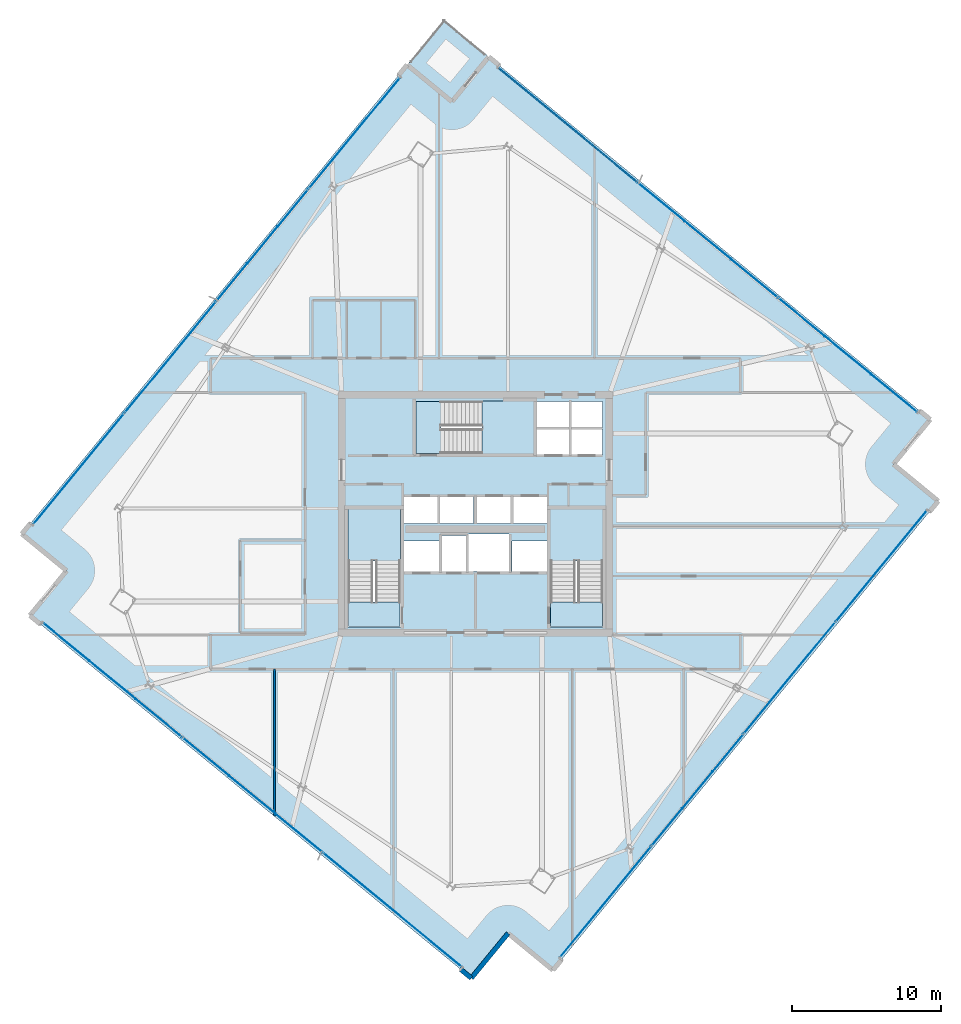
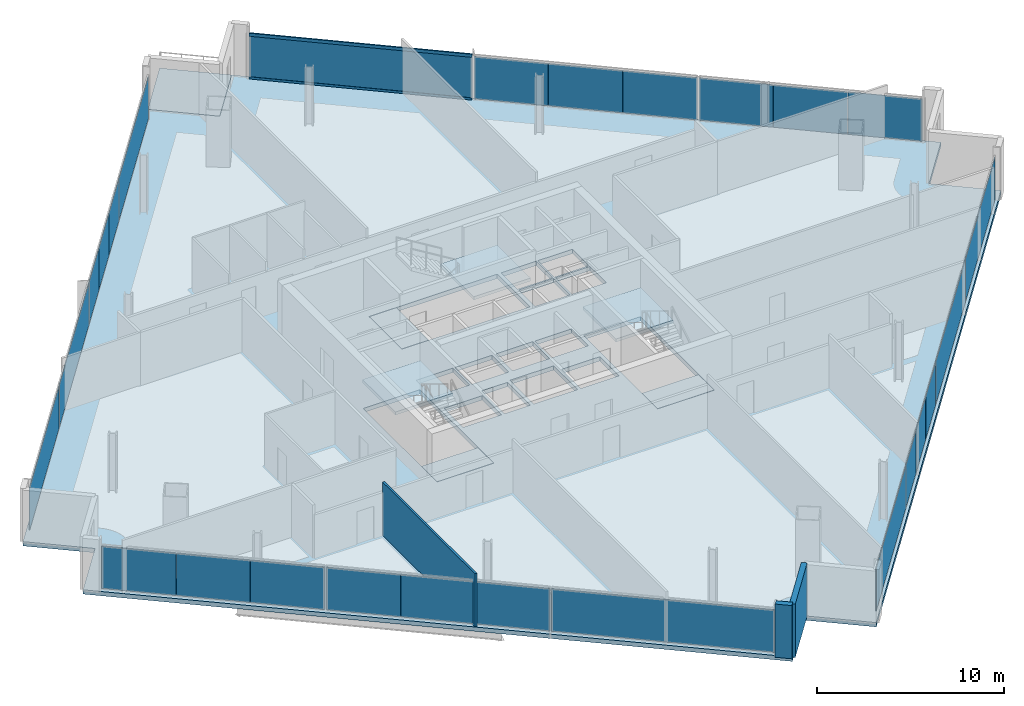
# One storey, part 19 of 28: 26 plates, 8 slabs, 3 walls, 2 members, 7 elements without a shape of their own.
"""IFC4 building model written with IfcOpenShell, lengths in metres."""

from ifc_helpers import new_model, si_unit, direction, frame, frame_2d, origin, origin_2d, place, context, subcontext, project, spatial, polyline, rectangle, hollow_rectangle, outline, extrude, source, transform, mapped, material, layer, layer_set, material_profile, profile_set, type_object, element, aggregate, save


model = new_model("IFC4")

# Units and contexts
model_context = context("Model", 3, precision=1e-05, world=origin(), true_north=direction((0.0, 1.0)))
body_context = subcontext(model_context, "Body", "Model", "MODEL_VIEW")
ifc_project = project(units=[si_unit("LENGTHUNIT", "METRE"), si_unit("AREAUNIT", "SQUARE_METRE"), si_unit("VOLUMEUNIT", "CUBIC_METRE"), si_unit("PLANEANGLEUNIT", "RADIAN"), si_unit("MASSUNIT", "GRAM", prefix="KILO")], contexts=[model_context])

# Site, building, storey
site_placement = place(None, origin())
site = spatial("IfcSite", under=ifc_project, at=site_placement, CompositionType="ELEMENT")
building_placement = place(site_placement, origin())
building = spatial("IfcBuilding", under=site, at=building_placement, Name="Haldenkirk Collegiate Tower", CompositionType="ELEMENT")
storey_placement = place(building_placement, frame((0.0, 0.0, 198.449951171875)))
storey = spatial("IfcBuildingStorey", under=building, at=storey_placement, Name="L49", CompositionType="ELEMENT", Elevation=198.449951171875)

# Curtain wall, members
ifc_material_1 = material(Name="Anodised architectural bronze aluminium", Category="aluminium")
curtain_wall_type_1 = type_object("IfcCurtainWallType", Name="CW-SYS1B-CONVEX-HI", PredefinedType="USERDEFINED", material=ifc_material_1)
curtain_wall_1_placement = place(storey_placement, origin())
curtain_wall_1 = element("IfcCurtainWall", 1, at=curtain_wall_1_placement, inside=storey, type_object=curtain_wall_type_1, Name="L49 Upper tower high-wind convex bronze unitised curtain wall", ObjectType="UNITISED CURTAIN WALL", PredefinedType="USERDEFINED")
ifc_material_profile = material_profile(ifc_material_1, hollow_rectangle(XDim=0.0849609375, YDim=0.199951171875, WallThickness=0.0048828125, at=origin_2d()), Name="CW-TRN-1B")
ifc_profile_set = profile_set([ifc_material_profile], Name="Anodised architectural bronze aluminium")
member_type = type_object("IfcMemberType", Name="CW-TRN-1B", PredefinedType="USERDEFINED", material=ifc_profile_set)
member_1_placement = place(storey_placement, frame((37.54345703125, 55.946044921875, 0.04248046875), z_axis=(0.772732276656, -0.634732092, 0.0), x_axis=(0.634732092, 0.772732276656, 0.0)))
member_1 = element("IfcMember", 2, at=member_1_placement, type_object=member_type, Name="CW-1B transom 1.1", ObjectType="TRANSOM", PredefinedType="USERDEFINED", context=body_context, shape_type="SweptSolid", body=[
    extrude(hollow_rectangle(XDim=0.0849609375, YDim=0.199951171875, WallThickness=0.0048828125, at=origin_2d()), origin(), (0.0, 0.0, 1.0), 12.072509765625),
])
member_2_placement = place(storey_placement, frame((37.54345703125, 55.946044921875, 2.885498046875), z_axis=(0.772732276656, -0.634732092, 0.0), x_axis=(0.634732092, 0.772732276656, 0.0)))
member_2 = element("IfcMember", 3, at=member_2_placement, type_object=member_type, Name="CW-1B transom 1.2", ObjectType="TRANSOM", PredefinedType="USERDEFINED", context=body_context, shape_type="SweptSolid", body=[
    extrude(hollow_rectangle(XDim=0.0849609375, YDim=0.199951171875, WallThickness=0.0048828125, at=origin_2d()), origin(), (0.0, 0.0, 1.0), 12.072509765625),
])

# Slab
ifc_material_2 = material(Name="Concrete f'c 40 MPa", Category="concrete")
ifc_layer_1 = layer(ifc_material_2, 0.280029296875)
ifc_layer_set_1 = layer_set([ifc_layer_1], Name="Concrete f'c 40 MPa")
slab_type_1 = type_object("IfcSlabType", Name="SLB-FLR-280", PredefinedType="FLOOR", material=ifc_layer_set_1)
slab_1_placement = place(storey_placement, frame((0.0, 0.0, -0.280029296875)))
element("IfcSlab", 4, at=slab_1_placement, inside=storey, type_object=slab_type_1, Name="L49 composite structural floor slab", PredefinedType="FLOOR", context=body_context, shape_type="SweptSolid", body=[
    extrude(outline(polyline([(41.210693359375, -4.679931640625), (67.107666015625, 26.84765625), (64.093994140625, 29.322998046875), (66.569580078125, 32.336669921875), (36.896484375, 56.71044921875), (34.421142578125, 53.69677734375), (31.407470703125, 56.172119140625), (5.510498046875, 24.64453125), (8.524169921875, 22.169189453125), (6.048583984375, 19.155517578125), (35.7216796875, -5.218017578125), (38.197021484375, -2.20458984375), (41.210693359375, -4.679931640625)]), holes=[polyline([(27.449951171875, 18.39990234375), (30.949951171875, 18.39990234375), (30.949951171875, 26.300048828125), (27.449951171875, 26.300048828125), (27.449951171875, 18.39990234375)]), polyline([(41.050048828125, 18.39990234375), (44.550048828125, 18.39990234375), (44.550048828125, 26.300048828125), (41.050048828125, 26.300048828125), (41.050048828125, 18.39990234375)]), polyline([(32.0, 30.050048828125), (39.89990234375, 30.050048828125), (39.89990234375, 33.550048828125), (32.0, 33.550048828125), (32.0, 30.050048828125)]), polyline([(33.75, 22.10009765625), (35.35009765625, 22.10009765625), (35.35009765625, 24.550048828125), (33.75, 24.550048828125), (33.75, 22.10009765625)]), polyline([(40.14990234375, 29.949951171875), (42.320068359375, 29.949951171875), (42.320068359375, 31.699951171875), (40.14990234375, 31.699951171875), (40.14990234375, 29.949951171875)]), polyline([(42.419921875, 29.949951171875), (44.550048828125, 29.949951171875), (44.550048828125, 31.699951171875), (42.419921875, 31.699951171875), (42.419921875, 29.949951171875)]), polyline([(40.14990234375, 31.800048828125), (42.320068359375, 31.800048828125), (42.320068359375, 33.550048828125), (40.14990234375, 33.550048828125), (40.14990234375, 31.800048828125)]), polyline([(42.419921875, 31.800048828125), (44.550048828125, 31.800048828125), (44.550048828125, 33.550048828125), (42.419921875, 33.550048828125), (42.419921875, 31.800048828125)]), polyline([(31.199951171875, 25.35009765625), (33.47998046875, 25.35009765625), (33.47998046875, 27.14990234375), (31.199951171875, 27.14990234375), (31.199951171875, 25.35009765625)]), polyline([(33.60009765625, 25.35009765625), (35.8798828125, 25.35009765625), (35.8798828125, 27.14990234375), (33.60009765625, 27.14990234375), (33.60009765625, 25.35009765625)]), polyline([(36.1201171875, 25.35009765625), (38.39990234375, 25.35009765625), (38.39990234375, 27.14990234375), (36.1201171875, 27.14990234375), (36.1201171875, 25.35009765625)]), polyline([(38.52001953125, 25.35009765625), (40.800048828125, 25.35009765625), (40.800048828125, 27.14990234375), (38.52001953125, 27.14990234375), (38.52001953125, 25.35009765625)]), polyline([(31.199951171875, 22.10009765625), (33.550048828125, 22.10009765625), (33.550048828125, 24.14990234375), (31.199951171875, 24.14990234375), (31.199951171875, 22.10009765625)]), polyline([(38.449951171875, 22.10009765625), (40.800048828125, 22.10009765625), (40.800048828125, 24.14990234375), (38.449951171875, 24.14990234375), (38.449951171875, 22.10009765625)]), polyline([(35.550048828125, 22.10009765625), (38.25, 22.10009765625), (38.25, 24.64990234375), (35.550048828125, 24.64990234375), (35.550048828125, 22.10009765625)])]), origin(), (0.0, 0.0, 1.0), 0.280029296875),
])

# Stair, slab
stair_type = type_object("IfcStairType", Name="STR-DOGLEG-1650", PredefinedType="HALF_TURN_STAIR", material=ifc_material_2)
stair_1_placement = place(storey_placement, origin())
stair_1 = element("IfcStair", 5, at=stair_1_placement, inside=storey, type_object=stair_type, Name="L49 Core Exit Stair ST-1", PredefinedType="HALF_TURN_STAIR")
ifc_layer_2 = layer(ifc_material_2, 0.199951171875)
ifc_layer_set_2 = layer_set([ifc_layer_2], Name="Concrete f'c 40 MPa")
slab_type_2 = type_object("IfcSlabType", Name="SLB-LANDING-200", PredefinedType="LANDING", material=ifc_layer_set_2)
slab_2_placement = place(storey_placement, frame((0.0, 0.0, 1.675048828125)))
slab_2 = element("IfcSlab", 6, at=slab_2_placement, type_object=slab_type_2, Name="ST-1 landing 1", PredefinedType="LANDING", context=body_context, shape_type="SweptSolid", body=[
    extrude(outline(polyline([(30.97509765625, 22.824951171875), (27.425048828125, 22.824951171875), (27.425048828125, 26.324951171875), (30.97509765625, 26.324951171875), (30.97509765625, 22.824951171875)])), origin(), (0.0, 0.0, 1.0), 0.199951171875),
])
aggregate(stair_1, [slab_2])

stair_2_placement = place(storey_placement, origin())
stair_2 = element("IfcStair", 7, at=stair_2_placement, inside=storey, type_object=stair_type, Name="L49 Core Exit Stair ST-2", PredefinedType="HALF_TURN_STAIR")
slab_3_placement = place(storey_placement, frame((0.0, 0.0, 1.675048828125)))
slab_3 = element("IfcSlab", 8, at=slab_3_placement, type_object=slab_type_2, Name="ST-2 landing 1", PredefinedType="LANDING", context=body_context, shape_type="SweptSolid", body=[
    extrude(outline(polyline([(44.574951171875, 22.824951171875), (41.02490234375, 22.824951171875), (41.02490234375, 26.324951171875), (44.574951171875, 26.324951171875), (44.574951171875, 22.824951171875)])), origin(), (0.0, 0.0, 1.0), 0.199951171875),
])
aggregate(stair_2, [slab_3])

stair_3_placement = place(storey_placement, origin())
stair_3 = element("IfcStair", 9, at=stair_3_placement, inside=storey, type_object=stair_type, Name="L49 Core Exit Stair ST-3", PredefinedType="HALF_TURN_STAIR")
slab_4_placement = place(storey_placement, frame((0.0, 0.0, 1.675048828125)))
slab_4 = element("IfcSlab", 10, at=slab_4_placement, type_object=slab_type_2, Name="ST-3 landing 1", PredefinedType="LANDING", context=body_context, shape_type="SweptSolid", body=[
    extrude(outline(polyline([(36.425048828125, 30.02490234375), (36.425048828125, 33.574951171875), (39.925048828125, 33.574951171875), (39.925048828125, 30.02490234375), (36.425048828125, 30.02490234375)])), origin(), (0.0, 0.0, 1.0), 0.199951171875),
])
aggregate(stair_3, [slab_4])

# Slabs
ifc_layer_3 = layer(ifc_material_2, 0.25)
ifc_layer_set_3 = layer_set([ifc_layer_3], Name="Concrete f'c 40 MPa")
slab_type_3 = type_object("IfcSlabType", Name="SLB-STAIRLAND-250", PredefinedType="LANDING", material=ifc_layer_set_3)
slab_5_placement = place(storey_placement, frame((0.0, 0.0, -0.25)))
element("IfcSlab", 11, at=slab_5_placement, inside=storey, type_object=slab_type_3, Name="L49 stair ST1 structural floor landing slab", PredefinedType="LANDING", context=body_context, shape_type="SweptSolid", body=[
    extrude(outline(polyline([(27.4599609375, 18.409912109375), (30.93994140625, 18.409912109375), (30.93994140625, 20.080078125), (27.4599609375, 20.080078125), (27.4599609375, 18.409912109375)])), origin(), (0.0, 0.0, 1.0), 0.25),
])
slab_6_placement = place(storey_placement, frame((0.0, 0.0, -0.25)))
element("IfcSlab", 12, at=slab_6_placement, inside=storey, type_object=slab_type_3, Name="L49 stair ST2 structural floor landing slab", PredefinedType="LANDING", context=body_context, shape_type="SweptSolid", body=[
    extrude(outline(polyline([(41.06005859375, 18.409912109375), (44.5400390625, 18.409912109375), (44.5400390625, 20.080078125), (41.06005859375, 20.080078125), (41.06005859375, 18.409912109375)])), origin(), (0.0, 0.0, 1.0), 0.25),
])
slab_7_placement = place(storey_placement, frame((0.0, 0.0, -0.25)))
element("IfcSlab", 13, at=slab_7_placement, inside=storey, type_object=slab_type_3, Name="L49 stair ST3 structural floor landing slab", PredefinedType="LANDING", context=body_context, shape_type="SweptSolid", body=[
    extrude(outline(polyline([(32.010009765625, 30.06005859375), (33.679931640625, 30.06005859375), (33.679931640625, 33.5400390625), (32.010009765625, 33.5400390625), (32.010009765625, 30.06005859375)])), origin(), (0.0, 0.0, 1.0), 0.25),
])
ifc_layer_4 = layer(ifc_material_2, 0.22998046875)
ifc_layer_set_4 = layer_set([ifc_layer_4], Name="Concrete f'c 40 MPa")
slab_type_4 = type_object("IfcSlabType", Name="SLB-TERR-SPIRAL-230", PredefinedType="FLOOR", material=ifc_layer_set_4)
slab_8_placement = place(storey_placement, frame((0.0, 0.0, -0.22998046875)))
element("IfcSlab", 14, at=slab_8_placement, inside=storey, type_object=slab_type_4, Name="L49 spiralling corner terrace slab", PredefinedType="FLOOR", context=body_context, shape_type="SweptSolid", body=[
    extrude(outline(polyline([(34.421142578125, 53.69677734375), (36.896484375, 56.71044921875), (33.8828125, 59.185791015625), (31.407470703125, 56.172119140625), (34.421142578125, 53.69677734375)])), origin(), (0.0, 0.0, 1.0), 0.22998046875),
])

# Curtain wall, plates
curtain_wall_type_2 = type_object("IfcCurtainWallType", Name="CW-SYS2-CONCAVE", PredefinedType="USERDEFINED", material=ifc_material_1)
curtain_wall_2_placement = place(storey_placement, origin())
curtain_wall_2 = element("IfcCurtainWall", 15, at=curtain_wall_2_placement, inside=storey, type_object=curtain_wall_type_2, Name="L49 South concave recessed bronze-anodised curtain wall", ObjectType="UNITISED CURTAIN WALL", PredefinedType="USERDEFINED")
ifc_material_3 = material(Name="Low-E argon triple insulating glass", Category="glass")
ifc_layer_5 = layer(ifc_material_3, 0.0419921875)
ifc_layer_set_5 = layer_set([ifc_layer_5], Name="Low-E argon triple insulating glass")
plate_type_1 = type_object("IfcPlateType", Name="CW-PNL-02", PredefinedType="CURTAIN_PANEL", material=ifc_layer_set_5)
shared_shape_1 = source(origin(), body_context, "Body", "SweptSolid", [
    extrude(rectangle(XDim=9.637451171875, YDim=0.0419921875, at=origin_2d()), origin(), (0.0, 0.0, 1.0), 2.778076171875),
])
plate_1_placement = place(storey_placement, frame((63.291015625, 22.48486328125, 0.0751953125), z_axis=(0.0, 0.0, 1.0), x_axis=(-0.634730510437, -0.772733575768, 0.0)))
plate_1 = element("IfcPlate", 16, at=plate_1_placement, type_object=plate_type_1, Name="CW-02 panel 1.1", PredefinedType="CURTAIN_PANEL", context=body_context, shape_type="MappedRepresentation", body=[
    mapped(shared_shape_1, transform((0.0, 0.0, 0.0), x_axis=(1.0, 0.0, 0.0), y_axis=(0.0, 1.0, 0.0), z_axis=(0.0, 0.0, 1.0), scale=1.0)),
])
plate_2_placement = place(storey_placement, frame((44.7490234375, -0.088623046875, 0.0751953125), z_axis=(0.0, 0.0, 1.0), x_axis=(-0.634730510437, -0.772733575768, 0.0)))
plate_2 = element("IfcPlate", 17, at=plate_2_placement, type_object=plate_type_1, Name="CW-02 panel 4.1", PredefinedType="CURTAIN_PANEL", context=body_context, shape_type="MappedRepresentation", body=[
    mapped(shared_shape_1, transform((0.0, 0.0, 0.0), x_axis=(1.0, 0.0, 0.0), y_axis=(0.0, 1.0, 0.0), z_axis=(0.0, 0.0, 1.0), scale=1.0)),
])
shared_shape_2 = source(origin(), body_context, "Body", "SweptSolid", [
    extrude(rectangle(XDim=9.675048828125, YDim=0.0419921875, at=origin_2d()), origin(), (0.0, 0.0, 1.0), 2.778076171875),
])
plate_3_placement = place(storey_placement, frame((57.114501953125, 14.96533203125, 0.0751953125), z_axis=(0.0, 0.0, 1.0), x_axis=(-0.634730510437, -0.772733575768, 0.0)))
plate_3 = element("IfcPlate", 18, at=plate_3_placement, type_object=plate_type_1, Name="CW-02 panel 2.1", PredefinedType="CURTAIN_PANEL", context=body_context, shape_type="MappedRepresentation", body=[
    mapped(shared_shape_2, transform((0.0, 0.0, 0.0), x_axis=(1.0, 0.0, 0.0), y_axis=(0.0, 1.0, 0.0), z_axis=(0.0, 0.0, 1.0), scale=1.0)),
])
ifc_material_4 = material(Name="Bronze-anodised insulated aluminium spandrel panel", Category="aluminium")
ifc_layer_6 = layer(ifc_material_4, 0.0419921875)
ifc_layer_set_6 = layer_set([ifc_layer_6], Name="Bronze-anodised insulated aluminium spandrel panel")
plate_type_2 = type_object("IfcPlateType", Name="CW-SPD-02", PredefinedType="CURTAIN_PANEL", material=ifc_layer_set_6)
shared_shape_3 = source(origin(), body_context, "Body", "SweptSolid", [
    extrude(rectangle(XDim=3.21240234375, YDim=0.0419921875, at=origin_2d()), origin(), (0.0, 0.0, 1.0), 2.778076171875),
])
plate_4_placement = place(storey_placement, frame((52.976806640625, 9.927978515625, 0.0751953125), z_axis=(0.0, 0.0, 1.0), x_axis=(-0.634730510437, -0.772733575768, 0.0)))
plate_4 = element("IfcPlate", 19, at=plate_4_placement, type_object=plate_type_2, Name="CW-02 spandrel panel 3.1a", PredefinedType="CURTAIN_PANEL", context=body_context, shape_type="MappedRepresentation", body=[
    mapped(shared_shape_3, transform((0.0, 0.0, 0.0), x_axis=(1.0, 0.0, 0.0), y_axis=(0.0, 1.0, 0.0), z_axis=(0.0, 0.0, 1.0), scale=1.0)),
])
plate_5_placement = place(storey_placement, frame((48.874755859375, 4.93408203125, 0.0751953125), z_axis=(0.0, 0.0, 1.0), x_axis=(-0.634730510437, -0.772733575768, 0.0)))
plate_5 = element("IfcPlate", 20, at=plate_5_placement, type_object=plate_type_2, Name="CW-02 spandrel panel 3.1c", PredefinedType="CURTAIN_PANEL", context=body_context, shape_type="MappedRepresentation", body=[
    mapped(shared_shape_3, transform((0.0, 0.0, 0.0), x_axis=(1.0, 0.0, 0.0), y_axis=(0.0, 1.0, 0.0), z_axis=(0.0, 0.0, 1.0), scale=1.0)),
])
shared_shape_4 = source(origin(), body_context, "Body", "SweptSolid", [
    extrude(rectangle(XDim=3.199951171875, YDim=0.0419921875, at=origin_2d()), origin(), (0.0, 0.0, 1.0), 2.778076171875),
])
plate_6_placement = place(storey_placement, frame((50.92578125, 7.43115234375, 0.0751953125), z_axis=(0.0, 0.0, 1.0), x_axis=(-0.634730510437, -0.772733575768, 0.0)))
plate_6 = element("IfcPlate", 21, at=plate_6_placement, type_object=plate_type_2, Name="CW-02 spandrel panel 3.1b", PredefinedType="CURTAIN_PANEL", context=body_context, shape_type="MappedRepresentation", body=[
    mapped(shared_shape_4, transform((0.0, 0.0, 0.0), x_axis=(1.0, 0.0, 0.0), y_axis=(0.0, 1.0, 0.0), z_axis=(0.0, 0.0, 1.0), scale=1.0)),
])
aggregate(curtain_wall_2, [plate_1, plate_3, plate_4, plate_6, plate_5, plate_2])

# Plate
ifc_layer_7 = layer(ifc_material_3, 0.048095703125)
ifc_layer_set_7 = layer_set([ifc_layer_7], Name="Low-E argon triple insulating glass")
plate_type_3 = type_object("IfcPlateType", Name="CW-PNL-1B", PredefinedType="CURTAIN_PANEL", material=ifc_layer_set_7)
shared_shape_5 = source(origin(), body_context, "Body", "SweptSolid", [
    extrude(rectangle(XDim=12.072509765625, YDim=0.048095703125, at=origin_2d()), origin(), (0.0, 0.0, 1.0), 2.758056640625),
])
plate_7_placement = place(storey_placement, frame((42.207763671875, 52.11474609375, 0.0849609375), z_axis=(0.0, 0.0, 1.0), x_axis=(0.772732428582, -0.634731907043, 0.0)))
plate_7 = element("IfcPlate", 22, at=plate_7_placement, type_object=plate_type_3, Name="CW-1B panel 1.1", PredefinedType="CURTAIN_PANEL", context=body_context, shape_type="MappedRepresentation", body=[
    mapped(shared_shape_5, transform((0.0, 0.0, 0.0), x_axis=(1.0, 0.0, 0.0), y_axis=(0.0, 1.0, 0.0), z_axis=(0.0, 0.0, 1.0), scale=1.0)),
])

# Curtain wall, plate
curtain_wall_3_placement = place(storey_placement, origin())
curtain_wall_3 = element("IfcCurtainWall", 23, at=curtain_wall_3_placement, inside=storey, type_object=curtain_wall_type_1, Name="L49 Upper tower high-wind convex bronze unitised curtain wall", ObjectType="UNITISED CURTAIN WALL", PredefinedType="USERDEFINED")
plate_8_placement = place(storey_placement, frame((30.410400390625, -0.622314453125, 0.0849609375), z_axis=(0.0, 0.0, 1.0), x_axis=(-0.772733768694, 0.634730275566, 0.0)))
plate_8 = element("IfcPlate", 24, at=plate_8_placement, type_object=plate_type_3, Name="CW-1B panel 1.1", PredefinedType="CURTAIN_PANEL", context=body_context, shape_type="MappedRepresentation", body=[
    mapped(shared_shape_5, transform((0.0, 0.0, 0.0), x_axis=(1.0, 0.0, 0.0), y_axis=(0.0, 1.0, 0.0), z_axis=(0.0, 0.0, 1.0), scale=1.0)),
])

# Plate
shared_shape_6 = source(origin(), body_context, "Body", "SweptSolid", [
    extrude(rectangle(XDim=4.02587890625, YDim=0.048095703125, at=origin_2d()), origin(), (0.0, 0.0, 1.0), 2.758056640625),
])
plate_9_placement = place(storey_placement, frame((48.493408203125, 46.95166015625, 0.0849609375), z_axis=(0.0, 0.0, 1.0), x_axis=(0.772732428582, -0.634731907043, 0.0)))
plate_9 = element("IfcPlate", 25, at=plate_9_placement, type_object=plate_type_3, Name="CW-1B panel 2.1a", PredefinedType="CURTAIN_PANEL", context=body_context, shape_type="MappedRepresentation", body=[
    mapped(shared_shape_6, transform((0.0, 0.0, 0.0), x_axis=(1.0, 0.0, 0.0), y_axis=(0.0, 1.0, 0.0), z_axis=(0.0, 0.0, 1.0), scale=1.0)),
])

ifc_layer_8 = layer(ifc_material_4, 0.048095703125)
ifc_layer_set_8 = layer_set([ifc_layer_8], Name="Bronze-anodised insulated aluminium spandrel panel")
plate_type_4 = type_object("IfcPlateType", Name="CW-SPD-1B", PredefinedType="CURTAIN_PANEL", material=ifc_layer_set_8)
plate_10_placement = place(storey_placement, frame((54.744140625, 41.817138671875, 0.0849609375), z_axis=(0.0, 0.0, 1.0), x_axis=(0.772732428582, -0.634731907043, 0.0)))
plate_10 = element("IfcPlate", 26, at=plate_10_placement, type_object=plate_type_4, Name="CW-1B spandrel panel 2.1c", PredefinedType="CURTAIN_PANEL", context=body_context, shape_type="MappedRepresentation", body=[
    mapped(shared_shape_6, transform((0.0, 0.0, 0.0), x_axis=(1.0, 0.0, 0.0), y_axis=(0.0, 1.0, 0.0), z_axis=(0.0, 0.0, 1.0), scale=1.0)),
])

plate_11_placement = place(storey_placement, frame((24.124755859375, 4.54052734375, 0.0849609375), z_axis=(0.0, 0.0, 1.0), x_axis=(-0.772733768694, 0.634730275566, 0.0)))
plate_11 = element("IfcPlate", 27, at=plate_11_placement, type_object=plate_type_3, Name="CW-1B panel 2.1a", PredefinedType="CURTAIN_PANEL", context=body_context, shape_type="MappedRepresentation", body=[
    mapped(shared_shape_6, transform((0.0, 0.0, 0.0), x_axis=(1.0, 0.0, 0.0), y_axis=(0.0, 1.0, 0.0), z_axis=(0.0, 0.0, 1.0), scale=1.0)),
])

plate_12_placement = place(storey_placement, frame((17.8740234375, 9.675048828125, 0.0849609375), z_axis=(0.0, 0.0, 1.0), x_axis=(-0.772733768694, 0.634730275566, 0.0)))
plate_12 = element("IfcPlate", 28, at=plate_12_placement, type_object=plate_type_4, Name="CW-1B spandrel panel 2.1c", PredefinedType="CURTAIN_PANEL", context=body_context, shape_type="MappedRepresentation", body=[
    mapped(shared_shape_6, transform((0.0, 0.0, 0.0), x_axis=(1.0, 0.0, 0.0), y_axis=(0.0, 1.0, 0.0), z_axis=(0.0, 0.0, 1.0), scale=1.0)),
])

shared_shape_7 = source(origin(), body_context, "Body", "SweptSolid", [
    extrude(rectangle(XDim=4.01318359375, YDim=0.048095703125, at=origin_2d()), origin(), (0.0, 0.0, 1.0), 2.758056640625),
])
plate_13_placement = place(storey_placement, frame((51.618896484375, 44.384521484375, 0.0849609375), z_axis=(0.0, 0.0, 1.0), x_axis=(0.772732428582, -0.634731907043, 0.0)))
plate_13 = element("IfcPlate", 29, at=plate_13_placement, type_object=plate_type_4, Name="CW-1B spandrel panel 2.1b", PredefinedType="CURTAIN_PANEL", context=body_context, shape_type="MappedRepresentation", body=[
    mapped(shared_shape_7, transform((0.0, 0.0, 0.0), x_axis=(1.0, 0.0, 0.0), y_axis=(0.0, 1.0, 0.0), z_axis=(0.0, 0.0, 1.0), scale=1.0)),
])

plate_14_placement = place(storey_placement, frame((20.99951171875, 7.10791015625, 0.0849609375), z_axis=(0.0, 0.0, 1.0), x_axis=(-0.772733768694, 0.634730275566, 0.0)))
plate_14 = element("IfcPlate", 30, at=plate_14_placement, type_object=plate_type_4, Name="CW-1B spandrel panel 2.1b", PredefinedType="CURTAIN_PANEL", context=body_context, shape_type="MappedRepresentation", body=[
    mapped(shared_shape_7, transform((0.0, 0.0, 0.0), x_axis=(1.0, 0.0, 0.0), y_axis=(0.0, 1.0, 0.0), z_axis=(0.0, 0.0, 1.0), scale=1.0)),
])

shared_shape_8 = source(origin(), body_context, "Body", "SweptSolid", [
    extrude(rectangle(XDim=4.01171875, YDim=0.048095703125, at=origin_2d()), origin(), (0.0, 0.0, 1.0), 2.758056640625),
])
plate_15_placement = place(storey_placement, frame((57.915283203125, 39.21240234375, 0.0849609375), z_axis=(0.0, 0.0, 1.0), x_axis=(0.772732428582, -0.634731907043, 0.0)))
plate_15 = element("IfcPlate", 31, at=plate_15_placement, type_object=plate_type_4, Name="CW-1B spandrel panel 3.1a", PredefinedType="CURTAIN_PANEL", context=body_context, shape_type="MappedRepresentation", body=[
    mapped(shared_shape_8, transform((0.0, 0.0, 0.0), x_axis=(1.0, 0.0, 0.0), y_axis=(0.0, 1.0, 0.0), z_axis=(0.0, 0.0, 1.0), scale=1.0)),
])

plate_16_placement = place(storey_placement, frame((64.14404296875, 34.095947265625, 0.0849609375), z_axis=(0.0, 0.0, 1.0), x_axis=(0.772732428582, -0.634731907043, 0.0)))
plate_16 = element("IfcPlate", 32, at=plate_16_placement, type_object=plate_type_3, Name="CW-1B panel 3.1c", PredefinedType="CURTAIN_PANEL", context=body_context, shape_type="MappedRepresentation", body=[
    mapped(shared_shape_8, transform((0.0, 0.0, 0.0), x_axis=(1.0, 0.0, 0.0), y_axis=(0.0, 1.0, 0.0), z_axis=(0.0, 0.0, 1.0), scale=1.0)),
])

plate_17_placement = place(storey_placement, frame((14.702880859375, 12.27978515625, 0.0849609375), z_axis=(0.0, 0.0, 1.0), x_axis=(-0.772733768694, 0.634730275566, 0.0)))
plate_17 = element("IfcPlate", 33, at=plate_17_placement, type_object=plate_type_4, Name="CW-1B spandrel panel 3.1a", PredefinedType="CURTAIN_PANEL", context=body_context, shape_type="MappedRepresentation", body=[
    mapped(shared_shape_8, transform((0.0, 0.0, 0.0), x_axis=(1.0, 0.0, 0.0), y_axis=(0.0, 1.0, 0.0), z_axis=(0.0, 0.0, 1.0), scale=1.0)),
])

plate_18_placement = place(storey_placement, frame((8.47412109375, 17.396240234375, 0.0849609375), z_axis=(0.0, 0.0, 1.0), x_axis=(-0.772733768694, 0.634730275566, 0.0)))
plate_18 = element("IfcPlate", 34, at=plate_18_placement, type_object=plate_type_3, Name="CW-1B panel 3.1c", PredefinedType="CURTAIN_PANEL", context=body_context, shape_type="MappedRepresentation", body=[
    mapped(shared_shape_8, transform((0.0, 0.0, 0.0), x_axis=(1.0, 0.0, 0.0), y_axis=(0.0, 1.0, 0.0), z_axis=(0.0, 0.0, 1.0), scale=1.0)),
])

shared_shape_9 = source(origin(), body_context, "Body", "SweptSolid", [
    extrude(rectangle(XDim=3.999267578125, YDim=0.048095703125, at=origin_2d()), origin(), (0.0, 0.0, 1.0), 2.758056640625),
])
plate_19_placement = place(storey_placement, frame((61.029541015625, 36.654296875, 0.0849609375), z_axis=(0.0, 0.0, 1.0), x_axis=(0.772732428582, -0.634731907043, 0.0)))
plate_19 = element("IfcPlate", 35, at=plate_19_placement, type_object=plate_type_3, Name="CW-1B panel 3.1b", PredefinedType="CURTAIN_PANEL", context=body_context, shape_type="MappedRepresentation", body=[
    mapped(shared_shape_9, transform((0.0, 0.0, 0.0), x_axis=(1.0, 0.0, 0.0), y_axis=(0.0, 1.0, 0.0), z_axis=(0.0, 0.0, 1.0), scale=1.0)),
])

aggregate(curtain_wall_1, [member_1, member_2, plate_7, plate_9, plate_13, plate_10, plate_15, plate_19, plate_16])

# Curtain wall, plates
curtain_wall_4_placement = place(storey_placement, origin())
curtain_wall_4 = element("IfcCurtainWall", 36, at=curtain_wall_4_placement, inside=storey, type_object=curtain_wall_type_1, Name="L49 Upper tower high-wind convex bronze unitised curtain wall", ObjectType="UNITISED CURTAIN WALL", PredefinedType="USERDEFINED")
shared_shape_10 = source(origin(), body_context, "Body", "SweptSolid", [
    extrude(rectangle(XDim=9.62255859375, YDim=0.048095703125, at=origin_2d()), origin(), (0.0, 0.0, 1.0), 2.758056640625),
])
plate_20_placement = place(storey_placement, frame((9.32861328125, 29.00927734375, 0.0849609375), z_axis=(0.0, 0.0, 1.0), x_axis=(0.634732041519, 0.772732318121, 0.0)))
plate_20 = element("IfcPlate", 37, at=plate_20_placement, type_object=plate_type_3, Name="CW-1B panel 1.1", PredefinedType="CURTAIN_PANEL", context=body_context, shape_type="MappedRepresentation", body=[
    mapped(shared_shape_10, transform((0.0, 0.0, 0.0), x_axis=(1.0, 0.0, 0.0), y_axis=(0.0, 1.0, 0.0), z_axis=(0.0, 0.0, 1.0), scale=1.0)),
])
plate_21_placement = place(storey_placement, frame((27.867431640625, 51.578857421875, 0.0849609375), z_axis=(0.0, 0.0, 1.0), x_axis=(0.634732041519, 0.772732318121, 0.0)))
plate_21 = element("IfcPlate", 38, at=plate_21_placement, type_object=plate_type_3, Name="CW-1B panel 4.1", PredefinedType="CURTAIN_PANEL", context=body_context, shape_type="MappedRepresentation", body=[
    mapped(shared_shape_10, transform((0.0, 0.0, 0.0), x_axis=(1.0, 0.0, 0.0), y_axis=(0.0, 1.0, 0.0), z_axis=(0.0, 0.0, 1.0), scale=1.0)),
])
shared_shape_11 = source(origin(), body_context, "Body", "SweptSolid", [
    extrude(rectangle(XDim=9.6650390625, YDim=0.048095703125, at=origin_2d()), origin(), (0.0, 0.0, 1.0), 2.758056640625),
])
plate_22_placement = place(storey_placement, frame((15.503662109375, 36.527099609375, 0.0849609375), z_axis=(0.0, 0.0, 1.0), x_axis=(0.634732041519, 0.772732318121, 0.0)))
plate_22 = element("IfcPlate", 39, at=plate_22_placement, type_object=plate_type_3, Name="CW-1B panel 2.1", PredefinedType="CURTAIN_PANEL", context=body_context, shape_type="MappedRepresentation", body=[
    mapped(shared_shape_11, transform((0.0, 0.0, 0.0), x_axis=(1.0, 0.0, 0.0), y_axis=(0.0, 1.0, 0.0), z_axis=(0.0, 0.0, 1.0), scale=1.0)),
])
shared_shape_12 = source(origin(), body_context, "Body", "SweptSolid", [
    extrude(rectangle(XDim=3.209228515625, YDim=0.048095703125, at=origin_2d()), origin(), (0.0, 0.0, 1.0), 2.758056640625),
])
plate_23_placement = place(storey_placement, frame((19.6435546875, 41.56689453125, 0.0849609375), z_axis=(0.0, 0.0, 1.0), x_axis=(0.634732041519, 0.772732318121, 0.0)))
plate_23 = element("IfcPlate", 40, at=plate_23_placement, type_object=plate_type_4, Name="CW-1B spandrel panel 3.1a", PredefinedType="CURTAIN_PANEL", context=body_context, shape_type="MappedRepresentation", body=[
    mapped(shared_shape_12, transform((0.0, 0.0, 0.0), x_axis=(1.0, 0.0, 0.0), y_axis=(0.0, 1.0, 0.0), z_axis=(0.0, 0.0, 1.0), scale=1.0)),
])
plate_24_placement = place(storey_placement, frame((23.7412109375, 46.555419921875, 0.0849609375), z_axis=(0.0, 0.0, 1.0), x_axis=(0.634732041519, 0.772732318121, 0.0)))
plate_24 = element("IfcPlate", 41, at=plate_24_placement, type_object=plate_type_4, Name="CW-1B spandrel panel 3.1c", PredefinedType="CURTAIN_PANEL", context=body_context, shape_type="MappedRepresentation", body=[
    mapped(shared_shape_12, transform((0.0, 0.0, 0.0), x_axis=(1.0, 0.0, 0.0), y_axis=(0.0, 1.0, 0.0), z_axis=(0.0, 0.0, 1.0), scale=1.0)),
])
shared_shape_13 = source(origin(), body_context, "Body", "SweptSolid", [
    extrude(rectangle(XDim=3.19677734375, YDim=0.048095703125, at=origin_2d()), origin(), (0.0, 0.0, 1.0), 2.758056640625),
])
plate_25_placement = place(storey_placement, frame((21.6923828125, 44.06103515625, 0.0849609375), z_axis=(0.0, 0.0, 1.0), x_axis=(0.634732041519, 0.772732318121, 0.0)))
plate_25 = element("IfcPlate", 42, at=plate_25_placement, type_object=plate_type_3, Name="CW-1B panel 3.1b", PredefinedType="CURTAIN_PANEL", context=body_context, shape_type="MappedRepresentation", body=[
    mapped(shared_shape_13, transform((0.0, 0.0, 0.0), x_axis=(1.0, 0.0, 0.0), y_axis=(0.0, 1.0, 0.0), z_axis=(0.0, 0.0, 1.0), scale=1.0)),
])
aggregate(curtain_wall_4, [plate_20, plate_22, plate_23, plate_25, plate_24, plate_21])

# Plate
shared_shape_14 = source(origin(), body_context, "Body", "SweptSolid", [
    extrude(rectangle(XDim=3.9990234375, YDim=0.048095703125, at=origin_2d()), origin(), (0.0, 0.0, 1.0), 2.758056640625),
])
plate_26_placement = place(storey_placement, frame((11.588623046875, 14.837890625, 0.0849609375), z_axis=(0.0, 0.0, 1.0), x_axis=(-0.772733768694, 0.634730275566, 0.0)))
plate_26 = element("IfcPlate", 43, at=plate_26_placement, type_object=plate_type_3, Name="CW-1B panel 3.1b", PredefinedType="CURTAIN_PANEL", context=body_context, shape_type="MappedRepresentation", body=[
    mapped(shared_shape_14, transform((0.0, 0.0, 0.0), x_axis=(1.0, 0.0, 0.0), y_axis=(0.0, 1.0, 0.0), z_axis=(0.0, 0.0, 1.0), scale=1.0)),
])

aggregate(curtain_wall_3, [plate_8, plate_11, plate_14, plate_12, plate_17, plate_26, plate_18])

# Walls
ifc_material_5 = material(Name="Precast concrete f'c 40 MPa", Category="concrete")
ifc_layer_9 = layer(ifc_material_5, 0.320068359375)
ifc_layer_set_9 = layer_set([ifc_layer_9], Name="Precast concrete f'c 40 MPa")
wall_type_1 = type_object("IfcWallType", Name="WL-EXT-TWR-320", PredefinedType="STANDARD", material=ifc_layer_set_9)
wall_1_placement = place(storey_placement, frame((35.7216796875, -5.218017578125, 0.0), z_axis=(0.0, 0.0, 1.0), x_axis=(-0.772759512761, 0.63469893291, 0.0)))
element("IfcWall", 44, at=wall_1_placement, inside=storey, type_object=wall_type_1, Name="L49 precast corner pier WL", PredefinedType="STANDARD", context=body_context, shape_type="SweptSolid", body=[
    extrude(rectangle(XDim=0.900146484375, YDim=0.320068359375, at=frame_2d((0.4501953125, 0.0))), origin(), (0.0, 0.0, 1.0), 3.469970703125),
])
wall_2_placement = place(storey_placement, frame((38.197021484375, -2.20458984375, 0.0), z_axis=(0.0, 0.0, 1.0), x_axis=(-0.634743428491, -0.772722964579, 0.0)))
element("IfcWall", 45, at=wall_2_placement, inside=storey, type_object=wall_type_1, Name="L49 bronze precast notch wall 11", PredefinedType="STANDARD", context=body_context, shape_type="SweptSolid", body=[
    extrude(rectangle(XDim=3.899658203125, YDim=0.320068359375, at=frame_2d((1.94970703125, 0.0))), origin(), (0.0, 0.0, 1.0), 3.469970703125),
])
ifc_material_6 = material(Name="Acoustic fire-rated gypsum partition", Category="concrete")
ifc_layer_10 = layer(ifc_material_6, 0.1201171875)
ifc_layer_set_10 = layer_set([ifc_layer_10], Name="Acoustic fire-rated gypsum partition")
wall_type_2 = type_object("IfcWallType", Name="WL-INT-WET-120", PredefinedType="PARTITIONING", material=ifc_layer_set_10)
wall_3_placement = place(storey_placement, frame((22.5, 5.694091796875, 0.0), z_axis=(0.0, 0.0, 1.0), x_axis=(0.0, 1.0, 0.0)))
element("IfcWall", 46, at=wall_3_placement, inside=storey, type_object=wall_type_2, Name="L49 interior partition IW-L49-RS1", PredefinedType="PARTITIONING", context=body_context, shape_type="SweptSolid", body=[
    extrude(rectangle(XDim=9.85595703125, YDim=0.1201171875, at=frame_2d((4.927978515625, 0.0))), origin(), (0.0, 0.0, 1.0), 3.469970703125),
])

save(model, "model.ifc")
